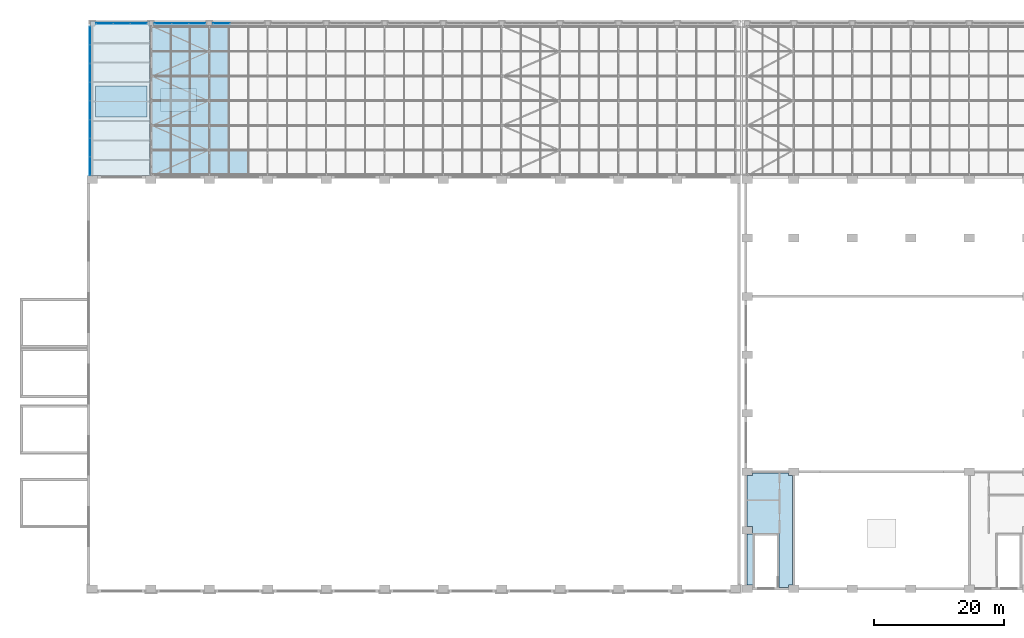
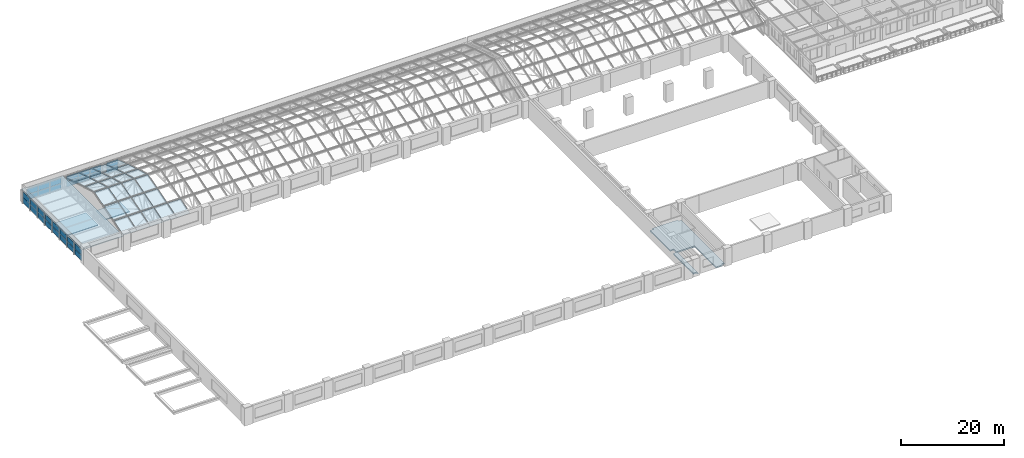
# One storey, part 46 of 82: 55 plates, 4 slabs, 5 elements without a shape of their own.
"""IFC4 building model written with IfcOpenShell, lengths in metres."""

from ifc_helpers import new_model, si_unit, direction, frame, origin, origin_2d, place, context, subcontext, project, spatial, polyline, rectangle, outline, extrude, material, layer, layer_set, type_object, element, aggregate, save


model = new_model("IFC4")

# Units and contexts
model_context = context("Model", 3, precision=1e-05, world=origin(), true_north=direction((0.0, 1.0)))
body_context = subcontext(model_context, "Body", "Model", "MODEL_VIEW")
ifc_project = project(units=[si_unit("LENGTHUNIT", "METRE"), si_unit("AREAUNIT", "SQUARE_METRE"), si_unit("VOLUMEUNIT", "CUBIC_METRE"), si_unit("PLANEANGLEUNIT", "RADIAN"), si_unit("MASSUNIT", "GRAM", prefix="KILO")], contexts=[model_context])

# Site, building, storey
site_placement = place(None, origin())
site = spatial("IfcSite", under=ifc_project, at=site_placement, CompositionType="ELEMENT")
building_placement = place(site_placement, origin())
building = spatial("IfcBuilding", under=site, at=building_placement, Name="Aravalli Gate Trade Fair Centre", CompositionType="ELEMENT")
storey_placement = place(building_placement, frame((0.0, 0.0, 19.199951171875)))
storey = spatial("IfcBuildingStorey", under=building, at=storey_placement, Name="L04", CompositionType="ELEMENT", Elevation=19.199951171875)

# Slabs
ifc_material_1 = material(Name="Concrete M40", Category="concrete")
ifc_layer_1 = layer(ifc_material_1, 0.199951171875)
ifc_layer_set_1 = layer_set([ifc_layer_1], Name="Concrete M40")
slab_type_1 = type_object("IfcSlabType", Name="Concourse core cover slab 200", PredefinedType="ROOF", material=ifc_layer_set_1)
slab_1_placement = place(storey_placement, origin())
element("IfcSlab", 1, at=slab_1_placement, inside=storey, type_object=slab_type_1, Name="Core cover slab WS", PredefinedType="ROOF", context=body_context, shape_type="SweptSolid", body=[
    extrude(outline(polyline([(6.5, 118.60009765625), (14.39990234375, 118.60009765625), (14.39990234375, 123.39990234375), (6.5, 123.39990234375), (6.5, 118.60009765625)])), origin(), (0.0, 0.0, 1.0), 0.199951171875),
])
slab_2_placement = place(storey_placement, origin())
element("IfcSlab", 2, at=slab_2_placement, inside=storey, type_object=slab_type_1, Name="Core cover slab WL", PredefinedType="ROOF", context=body_context, shape_type="SweptSolid", body=[
    extrude(outline(polyline([(16.5, 119.5), (22.050048828125, 119.5), (22.050048828125, 123.0), (16.5, 123.0), (16.5, 119.5)])), origin(), (0.0, 0.0, 1.0), 0.199951171875),
])
ifc_material_2 = material(Name="Concrete M30", Category="concrete")
ifc_layer_2 = layer(ifc_material_2, 0.1201171875, Name="Concrete topping")
ifc_material_3 = material(Name="Steel E350", Category="steel")
ifc_layer_3 = layer(ifc_material_3, 0.030029296875, Name="Profiled deck sheet")
ifc_layer_set_2 = layer_set([ifc_layer_2, ifc_layer_3], Name="Concourse roof deck 150")
slab_type_2 = type_object("IfcSlabType", Name="Concourse roof deck 150", PredefinedType="ROOF", material=ifc_layer_set_2)
slab_3_placement = place(storey_placement, frame((0.0, 0.0, 2.699951171875)))
element("IfcSlab", 3, at=slab_3_placement, inside=storey, type_object=slab_type_2, Name="Concourse roof deck 1", PredefinedType="ROOF", context=body_context, shape_type="SweptSolid", body=[
    extrude(outline(polyline([(5.699951171875, 109.60009765625), (14.89990234375, 109.60009765625), (14.89990234375, 133.39990234375), (5.699951171875, 133.39990234375), (5.699951171875, 109.60009765625)])), origin(), (0.0, 0.0, 1.0), 0.150146484375),
])
ifc_layer_4 = layer(ifc_material_1, 0.300048828125)
ifc_layer_set_3 = layer_set([ifc_layer_4], Name="Concrete M40")
slab_type_3 = type_object("IfcSlabType", Name="Congress floor slab RC 300", PredefinedType="FLOOR", material=ifc_layer_set_3)
slab_4_placement = place(storey_placement, frame((0.0, 0.0, -0.300048828125)))
element("IfcSlab", 4, at=slab_4_placement, inside=storey, type_object=slab_type_3, Name="Stage wing floor L04 W", PredefinedType="FLOOR", context=body_context, shape_type="SweptSolid", body=[
    extrude(outline(polyline([(113.199951171875, 46.60009765625), (113.199951171875, 46.199951171875), (111.699951171875, 46.199951171875), (111.699951171875, 54.5), (107.699951171875, 54.5), (107.699951171875, 46.199951171875), (107.60009765625, 46.199951171875), (107.60009765625, 46.60009765625), (106.800048828125, 46.60009765625), (106.800048828125, 54.39990234375), (107.60009765625, 54.39990234375), (107.60009765625, 55.60009765625), (106.800048828125, 55.60009765625), (106.800048828125, 63.39990234375), (107.60009765625, 63.39990234375), (107.60009765625, 63.800048828125), (113.199951171875, 63.800048828125), (113.199951171875, 63.39990234375), (113.800048828125, 63.39990234375), (113.800048828125, 46.60009765625), (113.199951171875, 46.60009765625)])), origin(), (0.0, 0.0, 1.0), 0.300048828125),
])

# Curtain wall, plates
ifc_material_4 = material(Name="Aluminium and glass", Category="aluminium")
curtain_wall_type_1 = type_object("IfcCurtainWallType", Name="Curtain wall 3000 module", PredefinedType="NOTDEFINED", material=ifc_material_4)
curtain_wall_1_placement = place(storey_placement, origin())
curtain_wall_1 = element("IfcCurtainWall", 5, at=curtain_wall_1_placement, inside=storey, type_object=curtain_wall_type_1, Name="Curtain wall north bay 1 L04", PredefinedType="NOTDEFINED")
ifc_material_5 = material(Name="Glass, double glazed", Category="glass")
ifc_layer_5 = layer(ifc_material_5, 0.028076171875)
ifc_layer_set_4 = layer_set([ifc_layer_5], Name="Glass, double glazed")
plate_type_1 = type_object("IfcPlateType", Name="Curtain wall panel, double glazed 28", PredefinedType="CURTAIN_PANEL", material=ifc_layer_set_4)
plate_1_placement = place(storey_placement, frame((7.881591796875, 133.0, 0.06005859375), z_axis=(0.0, 0.0, 1.0), x_axis=(1.0, 0.0, 0.0)))
plate_1 = element("IfcPlate", 6, at=plate_1_placement, type_object=plate_type_1, Name="CW1 panel 1.1", PredefinedType="CURTAIN_PANEL", context=body_context, shape_type="SweptSolid", body=[
    extrude(rectangle(XDim=2.543212890625, YDim=0.028076171875, at=origin_2d()), origin(), (0.0, 0.0, 1.0), 1.260009765625),
])
plate_2_placement = place(storey_placement, frame((7.881591796875, 133.0, 1.3798828125), z_axis=(0.0, 0.0, 1.0), x_axis=(1.0, 0.0, 0.0)))
plate_2 = element("IfcPlate", 7, at=plate_2_placement, type_object=plate_type_1, Name="CW1 panel 1.2", PredefinedType="CURTAIN_PANEL", context=body_context, shape_type="SweptSolid", body=[
    extrude(rectangle(XDim=2.543212890625, YDim=0.028076171875, at=origin_2d()), origin(), (0.0, 0.0, 1.0), 1.260009765625),
])
plate_3_placement = place(storey_placement, frame((10.5, 133.0, 0.06005859375), z_axis=(0.0, 0.0, 1.0), x_axis=(1.0, 0.0, 0.0)))
plate_3 = element("IfcPlate", 8, at=plate_3_placement, type_object=plate_type_1, Name="CW1 panel 2.1", PredefinedType="CURTAIN_PANEL", context=body_context, shape_type="SweptSolid", body=[
    extrude(rectangle(XDim=2.5732421875, YDim=0.028076171875, at=origin_2d()), origin(), (0.0, 0.0, 1.0), 1.260009765625),
])
plate_4_placement = place(storey_placement, frame((10.5, 133.0, 1.3798828125), z_axis=(0.0, 0.0, 1.0), x_axis=(1.0, 0.0, 0.0)))
plate_4 = element("IfcPlate", 9, at=plate_4_placement, type_object=plate_type_1, Name="CW1 panel 2.2", PredefinedType="CURTAIN_PANEL", context=body_context, shape_type="SweptSolid", body=[
    extrude(rectangle(XDim=2.5732421875, YDim=0.028076171875, at=origin_2d()), origin(), (0.0, 0.0, 1.0), 1.260009765625),
])
plate_5_placement = place(storey_placement, frame((13.118408203125, 133.0, 0.06005859375), z_axis=(0.0, 0.0, 1.0), x_axis=(1.0, 0.0, 0.0)))
plate_5 = element("IfcPlate", 10, at=plate_5_placement, type_object=plate_type_1, Name="CW1 panel 3.1", PredefinedType="CURTAIN_PANEL", context=body_context, shape_type="SweptSolid", body=[
    extrude(rectangle(XDim=2.543212890625, YDim=0.028076171875, at=origin_2d()), origin(), (0.0, 0.0, 1.0), 1.260009765625),
])
plate_6_placement = place(storey_placement, frame((13.118408203125, 133.0, 1.3798828125), z_axis=(0.0, 0.0, 1.0), x_axis=(1.0, 0.0, 0.0)))
plate_6 = element("IfcPlate", 11, at=plate_6_placement, type_object=plate_type_1, Name="CW1 panel 3.2", PredefinedType="CURTAIN_PANEL", context=body_context, shape_type="SweptSolid", body=[
    extrude(rectangle(XDim=2.543212890625, YDim=0.028076171875, at=origin_2d()), origin(), (0.0, 0.0, 1.0), 1.260009765625),
])
aggregate(curtain_wall_1, [plate_1, plate_2, plate_3, plate_4, plate_5, plate_6])

curtain_wall_2_placement = place(storey_placement, origin())
curtain_wall_2 = element("IfcCurtainWall", 12, at=curtain_wall_2_placement, inside=storey, type_object=curtain_wall_type_1, Name="Curtain wall north bay 2 L04", PredefinedType="NOTDEFINED")
plate_7_placement = place(storey_placement, frame((16.881591796875, 133.0, 0.06005859375), z_axis=(0.0, 0.0, 1.0), x_axis=(1.0, 0.0, 0.0)))
plate_7 = element("IfcPlate", 13, at=plate_7_placement, type_object=plate_type_1, Name="CW1 panel 1.1", PredefinedType="CURTAIN_PANEL", context=body_context, shape_type="SweptSolid", body=[
    extrude(rectangle(XDim=2.543212890625, YDim=0.028076171875, at=origin_2d()), origin(), (0.0, 0.0, 1.0), 1.260009765625),
])
plate_8_placement = place(storey_placement, frame((16.881591796875, 133.0, 1.3798828125), z_axis=(0.0, 0.0, 1.0), x_axis=(1.0, 0.0, 0.0)))
plate_8 = element("IfcPlate", 14, at=plate_8_placement, type_object=plate_type_1, Name="CW1 panel 1.2", PredefinedType="CURTAIN_PANEL", context=body_context, shape_type="SweptSolid", body=[
    extrude(rectangle(XDim=2.543212890625, YDim=0.028076171875, at=origin_2d()), origin(), (0.0, 0.0, 1.0), 1.260009765625),
])
plate_9_placement = place(storey_placement, frame((19.5, 133.0, 0.06005859375), z_axis=(0.0, 0.0, 1.0), x_axis=(1.0, 0.0, 0.0)))
plate_9 = element("IfcPlate", 15, at=plate_9_placement, type_object=plate_type_1, Name="CW1 panel 2.1", PredefinedType="CURTAIN_PANEL", context=body_context, shape_type="SweptSolid", body=[
    extrude(rectangle(XDim=2.5732421875, YDim=0.028076171875, at=origin_2d()), origin(), (0.0, 0.0, 1.0), 1.260009765625),
])
plate_10_placement = place(storey_placement, frame((19.5, 133.0, 1.3798828125), z_axis=(0.0, 0.0, 1.0), x_axis=(1.0, 0.0, 0.0)))
plate_10 = element("IfcPlate", 16, at=plate_10_placement, type_object=plate_type_1, Name="CW1 panel 2.2", PredefinedType="CURTAIN_PANEL", context=body_context, shape_type="SweptSolid", body=[
    extrude(rectangle(XDim=2.5732421875, YDim=0.028076171875, at=origin_2d()), origin(), (0.0, 0.0, 1.0), 1.260009765625),
])
plate_11_placement = place(storey_placement, frame((22.118408203125, 133.0, 0.06005859375), z_axis=(0.0, 0.0, 1.0), x_axis=(1.0, 0.0, 0.0)))
plate_11 = element("IfcPlate", 17, at=plate_11_placement, type_object=plate_type_1, Name="CW1 panel 3.1", PredefinedType="CURTAIN_PANEL", context=body_context, shape_type="SweptSolid", body=[
    extrude(rectangle(XDim=2.543212890625, YDim=0.028076171875, at=origin_2d()), origin(), (0.0, 0.0, 1.0), 1.260009765625),
])
plate_12_placement = place(storey_placement, frame((22.118408203125, 133.0, 1.3798828125), z_axis=(0.0, 0.0, 1.0), x_axis=(1.0, 0.0, 0.0)))
plate_12 = element("IfcPlate", 18, at=plate_12_placement, type_object=plate_type_1, Name="CW1 panel 3.2", PredefinedType="CURTAIN_PANEL", context=body_context, shape_type="SweptSolid", body=[
    extrude(rectangle(XDim=2.543212890625, YDim=0.028076171875, at=origin_2d()), origin(), (0.0, 0.0, 1.0), 1.260009765625),
])
aggregate(curtain_wall_2, [plate_7, plate_8, plate_9, plate_10, plate_11, plate_12])

curtain_wall_3_placement = place(storey_placement, origin())
curtain_wall_3 = element("IfcCurtainWall", 19, at=curtain_wall_3_placement, inside=storey, type_object=curtain_wall_type_1, Name="Curtain wall north bay 3 L04", PredefinedType="NOTDEFINED")
plate_13_placement = place(storey_placement, frame((25.881591796875, 133.0, 0.06005859375), z_axis=(0.0, 0.0, 1.0), x_axis=(1.0, 0.0, 0.0)))
plate_13 = element("IfcPlate", 20, at=plate_13_placement, type_object=plate_type_1, Name="CW1 panel 1.1", PredefinedType="CURTAIN_PANEL", context=body_context, shape_type="SweptSolid", body=[
    extrude(rectangle(XDim=2.543212890625, YDim=0.028076171875, at=origin_2d()), origin(), (0.0, 0.0, 1.0), 1.260009765625),
])
plate_14_placement = place(storey_placement, frame((25.881591796875, 133.0, 1.3798828125), z_axis=(0.0, 0.0, 1.0), x_axis=(1.0, 0.0, 0.0)))
plate_14 = element("IfcPlate", 21, at=plate_14_placement, type_object=plate_type_1, Name="CW1 panel 1.2", PredefinedType="CURTAIN_PANEL", context=body_context, shape_type="SweptSolid", body=[
    extrude(rectangle(XDim=2.543212890625, YDim=0.028076171875, at=origin_2d()), origin(), (0.0, 0.0, 1.0), 1.260009765625),
])
aggregate(curtain_wall_3, [plate_13, plate_14])

curtain_wall_4_placement = place(storey_placement, origin())
curtain_wall_4 = element("IfcCurtainWall", 22, at=curtain_wall_4_placement, inside=storey, type_object=curtain_wall_type_1, Name="Curtain wall west end L04", PredefinedType="NOTDEFINED")
ifc_material_6 = material(Name="Glazed terracotta", Category="masonry")
ifc_layer_6 = layer(ifc_material_6, 0.06005859375)
ifc_layer_set_5 = layer_set([ifc_layer_6], Name="Glazed terracotta")
plate_type_2 = type_object("IfcPlateType", Name="Curtain wall panel, terracotta spandrel 60", PredefinedType="CURTAIN_PANEL", material=ifc_layer_set_5)
plate_15_placement = place(storey_placement, frame((5.6201171875, 111.052490234375, 0.06005859375), z_axis=(0.0, 0.0, 1.0), x_axis=(0.0, 1.0, 0.0)))
plate_15 = element("IfcPlate", 23, at=plate_15_placement, type_object=plate_type_2, Name="CW1 panel 1.1", PredefinedType="CURTAIN_PANEL", context=body_context, shape_type="SweptSolid", body=[
    extrude(rectangle(XDim=2.784912109375, YDim=0.06005859375, at=origin_2d()), origin(), (0.0, 0.0, 1.0), 1.260009765625),
])
plate_16_placement = place(storey_placement, frame((5.6201171875, 111.052490234375, 1.3798828125), z_axis=(0.0, 0.0, 1.0), x_axis=(0.0, 1.0, 0.0)))
plate_16 = element("IfcPlate", 24, at=plate_16_placement, type_object=plate_type_2, Name="CW1 panel 1.2", PredefinedType="CURTAIN_PANEL", context=body_context, shape_type="SweptSolid", body=[
    extrude(rectangle(XDim=2.784912109375, YDim=0.06005859375, at=origin_2d()), origin(), (0.0, 0.0, 1.0), 1.260009765625),
])
plate_17_placement = place(storey_placement, frame((5.6201171875, 113.91259765625, 0.06005859375), z_axis=(0.0, 0.0, 1.0), x_axis=(0.0, 1.0, 0.0)))
plate_17 = element("IfcPlate", 25, at=plate_17_placement, type_object=plate_type_2, Name="CW1 panel 2.1", PredefinedType="CURTAIN_PANEL", context=body_context, shape_type="SweptSolid", body=[
    extrude(rectangle(XDim=2.81494140625, YDim=0.06005859375, at=origin_2d()), origin(), (0.0, 0.0, 1.0), 1.260009765625),
])
plate_18_placement = place(storey_placement, frame((5.6201171875, 113.91259765625, 1.3798828125), z_axis=(0.0, 0.0, 1.0), x_axis=(0.0, 1.0, 0.0)))
plate_18 = element("IfcPlate", 26, at=plate_18_placement, type_object=plate_type_2, Name="CW1 panel 2.2", PredefinedType="CURTAIN_PANEL", context=body_context, shape_type="SweptSolid", body=[
    extrude(rectangle(XDim=2.81494140625, YDim=0.06005859375, at=origin_2d()), origin(), (0.0, 0.0, 1.0), 1.260009765625),
])
plate_19_placement = place(storey_placement, frame((5.6201171875, 116.78759765625, 0.06005859375), z_axis=(0.0, 0.0, 1.0), x_axis=(0.0, 1.0, 0.0)))
plate_19 = element("IfcPlate", 27, at=plate_19_placement, type_object=plate_type_2, Name="CW1 panel 3.1", PredefinedType="CURTAIN_PANEL", context=body_context, shape_type="SweptSolid", body=[
    extrude(rectangle(XDim=2.81494140625, YDim=0.06005859375, at=origin_2d()), origin(), (0.0, 0.0, 1.0), 1.260009765625),
])
plate_20_placement = place(storey_placement, frame((5.6201171875, 116.78759765625, 1.3798828125), z_axis=(0.0, 0.0, 1.0), x_axis=(0.0, 1.0, 0.0)))
plate_20 = element("IfcPlate", 28, at=plate_20_placement, type_object=plate_type_2, Name="CW1 panel 3.2", PredefinedType="CURTAIN_PANEL", context=body_context, shape_type="SweptSolid", body=[
    extrude(rectangle(XDim=2.81494140625, YDim=0.06005859375, at=origin_2d()), origin(), (0.0, 0.0, 1.0), 1.260009765625),
])
plate_21_placement = place(storey_placement, frame((5.6201171875, 119.66259765625, 0.06005859375), z_axis=(0.0, 0.0, 1.0), x_axis=(0.0, 1.0, 0.0)))
plate_21 = element("IfcPlate", 29, at=plate_21_placement, type_object=plate_type_2, Name="CW1 panel 4.1", PredefinedType="CURTAIN_PANEL", context=body_context, shape_type="SweptSolid", body=[
    extrude(rectangle(XDim=2.81494140625, YDim=0.06005859375, at=origin_2d()), origin(), (0.0, 0.0, 1.0), 1.260009765625),
])
plate_22_placement = place(storey_placement, frame((5.6201171875, 119.66259765625, 1.3798828125), z_axis=(0.0, 0.0, 1.0), x_axis=(0.0, 1.0, 0.0)))
plate_22 = element("IfcPlate", 30, at=plate_22_placement, type_object=plate_type_2, Name="CW1 panel 4.2", PredefinedType="CURTAIN_PANEL", context=body_context, shape_type="SweptSolid", body=[
    extrude(rectangle(XDim=2.81494140625, YDim=0.06005859375, at=origin_2d()), origin(), (0.0, 0.0, 1.0), 1.260009765625),
])
plate_23_placement = place(storey_placement, frame((5.6201171875, 122.53759765625, 0.06005859375), z_axis=(0.0, 0.0, 1.0), x_axis=(0.0, 1.0, 0.0)))
plate_23 = element("IfcPlate", 31, at=plate_23_placement, type_object=plate_type_2, Name="CW1 panel 5.1", PredefinedType="CURTAIN_PANEL", context=body_context, shape_type="SweptSolid", body=[
    extrude(rectangle(XDim=2.81494140625, YDim=0.06005859375, at=origin_2d()), origin(), (0.0, 0.0, 1.0), 1.260009765625),
])
plate_24_placement = place(storey_placement, frame((5.6201171875, 122.53759765625, 1.3798828125), z_axis=(0.0, 0.0, 1.0), x_axis=(0.0, 1.0, 0.0)))
plate_24 = element("IfcPlate", 32, at=plate_24_placement, type_object=plate_type_2, Name="CW1 panel 5.2", PredefinedType="CURTAIN_PANEL", context=body_context, shape_type="SweptSolid", body=[
    extrude(rectangle(XDim=2.81494140625, YDim=0.06005859375, at=origin_2d()), origin(), (0.0, 0.0, 1.0), 1.260009765625),
])
plate_25_placement = place(storey_placement, frame((5.6201171875, 125.41259765625, 0.06005859375), z_axis=(0.0, 0.0, 1.0), x_axis=(0.0, 1.0, 0.0)))
plate_25 = element("IfcPlate", 33, at=plate_25_placement, type_object=plate_type_2, Name="CW1 panel 6.1", PredefinedType="CURTAIN_PANEL", context=body_context, shape_type="SweptSolid", body=[
    extrude(rectangle(XDim=2.81494140625, YDim=0.06005859375, at=origin_2d()), origin(), (0.0, 0.0, 1.0), 1.260009765625),
])
plate_26_placement = place(storey_placement, frame((5.6201171875, 125.41259765625, 1.3798828125), z_axis=(0.0, 0.0, 1.0), x_axis=(0.0, 1.0, 0.0)))
plate_26 = element("IfcPlate", 34, at=plate_26_placement, type_object=plate_type_2, Name="CW1 panel 6.2", PredefinedType="CURTAIN_PANEL", context=body_context, shape_type="SweptSolid", body=[
    extrude(rectangle(XDim=2.81494140625, YDim=0.06005859375, at=origin_2d()), origin(), (0.0, 0.0, 1.0), 1.260009765625),
])
plate_27_placement = place(storey_placement, frame((5.6201171875, 128.28759765625, 0.06005859375), z_axis=(0.0, 0.0, 1.0), x_axis=(0.0, 1.0, 0.0)))
plate_27 = element("IfcPlate", 35, at=plate_27_placement, type_object=plate_type_2, Name="CW1 panel 7.1", PredefinedType="CURTAIN_PANEL", context=body_context, shape_type="SweptSolid", body=[
    extrude(rectangle(XDim=2.81494140625, YDim=0.06005859375, at=origin_2d()), origin(), (0.0, 0.0, 1.0), 1.260009765625),
])
plate_28_placement = place(storey_placement, frame((5.6201171875, 128.28759765625, 1.3798828125), z_axis=(0.0, 0.0, 1.0), x_axis=(0.0, 1.0, 0.0)))
plate_28 = element("IfcPlate", 36, at=plate_28_placement, type_object=plate_type_2, Name="CW1 panel 7.2", PredefinedType="CURTAIN_PANEL", context=body_context, shape_type="SweptSolid", body=[
    extrude(rectangle(XDim=2.81494140625, YDim=0.06005859375, at=origin_2d()), origin(), (0.0, 0.0, 1.0), 1.260009765625),
])
plate_29_placement = place(storey_placement, frame((5.6201171875, 131.1474609375, 0.06005859375), z_axis=(0.0, 0.0, 1.0), x_axis=(0.0, 1.0, 0.0)))
plate_29 = element("IfcPlate", 37, at=plate_29_placement, type_object=plate_type_2, Name="CW1 panel 8.1", PredefinedType="CURTAIN_PANEL", context=body_context, shape_type="SweptSolid", body=[
    extrude(rectangle(XDim=2.784912109375, YDim=0.06005859375, at=origin_2d()), origin(), (0.0, 0.0, 1.0), 1.260009765625),
])
plate_30_placement = place(storey_placement, frame((5.6201171875, 131.1474609375, 1.3798828125), z_axis=(0.0, 0.0, 1.0), x_axis=(0.0, 1.0, 0.0)))
plate_30 = element("IfcPlate", 38, at=plate_30_placement, type_object=plate_type_2, Name="CW1 panel 8.2", PredefinedType="CURTAIN_PANEL", context=body_context, shape_type="SweptSolid", body=[
    extrude(rectangle(XDim=2.784912109375, YDim=0.06005859375, at=origin_2d()), origin(), (0.0, 0.0, 1.0), 1.260009765625),
])
aggregate(curtain_wall_4, [plate_15, plate_16, plate_17, plate_18, plate_19, plate_20, plate_21, plate_22, plate_23, plate_24, plate_25, plate_26, plate_27, plate_28, plate_29, plate_30])

curtain_wall_type_2 = type_object("IfcCurtainWallType", Name="Vault curtain wall, sloped glazing", PredefinedType="NOTDEFINED", material=ifc_material_4)
curtain_wall_5_placement = place(storey_placement, origin())
curtain_wall_5 = element("IfcCurtainWall", 39, at=curtain_wall_5_placement, inside=storey, type_object=curtain_wall_type_2, Name="Vault curtain wall w", PredefinedType="NOTDEFINED")
ifc_material_7 = material(Name="Glass, laminated double glazed", Category="glass")
ifc_layer_7 = layer(ifc_material_7, 0.028076171875)
ifc_layer_set_6 = layer_set([ifc_layer_7], Name="Glass, laminated double glazed")
plate_type_3 = type_object("IfcPlateType", Name="Vault glazing panel, facet class 1", PredefinedType="CURTAIN_PANEL", material=ifc_layer_set_6)
plate_31_placement = place(storey_placement, frame((18.11328125, 109.77001953125, 2.873046875), z_axis=(0.0, -0.312518472278, 0.949911682466), x_axis=(1.0, 0.0, 0.0)))
plate_31 = element("IfcPlate", 40, at=plate_31_placement, type_object=plate_type_3, Name="Vault glazing w2.1", PredefinedType="CURTAIN_PANEL", context=body_context, shape_type="SweptSolid", body=[
    extrude(outline(polyline([(0.0, 0.0), (2.8984375, 0.0), (2.8984375, 3.852897250273449), (0.0, 3.852897250273449), (0.0, 0.0)])), origin(), (0.0, 0.0, -1.0), 0.028076171875),
])
plate_32_placement = place(storey_placement, frame((18.11328125, 128.77001953125, 4.0771484375), z_axis=(0.0, 0.312518472278, 0.949911682466), x_axis=(1.0, 0.0, 0.0)))
plate_32 = element("IfcPlate", 41, at=plate_32_placement, type_object=plate_type_3, Name="Vault glazing w2.6", PredefinedType="CURTAIN_PANEL", context=body_context, shape_type="SweptSolid", body=[
    extrude(outline(polyline([(0.0, 0.0), (2.8984375, 0.0), (2.8984375, 3.852897250273449), (0.0, 3.852897250273449), (0.0, 0.0)])), origin(), (0.0, 0.0, -1.0), 0.028076171875),
])
plate_33_placement = place(storey_placement, frame((21.07177734375, 109.77001953125, 2.873046875), z_axis=(0.0, -0.312518472278, 0.949911682466), x_axis=(1.0, 0.0, 0.0)))
plate_33 = element("IfcPlate", 42, at=plate_33_placement, type_object=plate_type_3, Name="Vault glazing w3.1", PredefinedType="CURTAIN_PANEL", context=body_context, shape_type="SweptSolid", body=[
    extrude(outline(polyline([(0.0, 0.0), (2.898193359375, 0.0), (2.898193359375, 3.852897250273449), (0.0, 3.852897250273449), (0.0, 0.0)])), origin(), (0.0, 0.0, -1.0), 0.028076171875),
])
plate_34_placement = place(storey_placement, frame((21.07177734375, 128.77001953125, 4.0771484375), z_axis=(0.0, 0.312518472278, 0.949911682466), x_axis=(1.0, 0.0, 0.0)))
plate_34 = element("IfcPlate", 43, at=plate_34_placement, type_object=plate_type_3, Name="Vault glazing w3.6", PredefinedType="CURTAIN_PANEL", context=body_context, shape_type="SweptSolid", body=[
    extrude(outline(polyline([(0.0, 0.0), (2.898193359375, 0.0), (2.898193359375, 3.852897250273449), (0.0, 3.852897250273449), (0.0, 0.0)])), origin(), (0.0, 0.0, -1.0), 0.028076171875),
])
plate_35_placement = place(storey_placement, frame((24.030029296875, 109.77001953125, 2.873046875), z_axis=(0.0, -0.312518472278, 0.949911682466), x_axis=(1.0, 0.0, 0.0)))
plate_35 = element("IfcPlate", 44, at=plate_35_placement, type_object=plate_type_3, Name="Vault glazing w4.1", PredefinedType="CURTAIN_PANEL", context=body_context, shape_type="SweptSolid", body=[
    extrude(outline(polyline([(0.0, 0.0), (2.93994140625, 0.0), (2.93994140625, 3.852897250273449), (0.0, 3.852897250273449), (0.0, 0.0)])), origin(), (0.0, 0.0, -1.0), 0.028076171875),
])
plate_36_placement = place(storey_placement, frame((24.030029296875, 128.77001953125, 4.0771484375), z_axis=(0.0, 0.312518472278, 0.949911682466), x_axis=(1.0, 0.0, 0.0)))
plate_36 = element("IfcPlate", 45, at=plate_36_placement, type_object=plate_type_3, Name="Vault glazing w4.6", PredefinedType="CURTAIN_PANEL", context=body_context, shape_type="SweptSolid", body=[
    extrude(outline(polyline([(0.0, 0.0), (2.93994140625, 0.0), (2.93994140625, 3.852897250273449), (0.0, 3.852897250273449), (0.0, 0.0)])), origin(), (0.0, 0.0, -1.0), 0.028076171875),
])
plate_37_placement = place(storey_placement, frame((27.030029296875, 109.77001953125, 2.873046875), z_axis=(0.0, -0.312518472278, 0.949911682466), x_axis=(1.0, 0.0, 0.0)))
plate_37 = element("IfcPlate", 46, at=plate_37_placement, type_object=plate_type_3, Name="Vault glazing w5.1", PredefinedType="CURTAIN_PANEL", context=body_context, shape_type="SweptSolid", body=[
    extrude(outline(polyline([(0.0, 0.0), (2.93994140625, 0.0), (2.93994140625, 3.852897250273449), (0.0, 3.852897250273449), (0.0, 0.0)])), origin(), (0.0, 0.0, -1.0), 0.028076171875),
])
ifc_layer_8 = layer(ifc_material_7, 0.028076171875)
ifc_layer_set_7 = layer_set([ifc_layer_8], Name="Glass, laminated double glazed")
plate_type_4 = type_object("IfcPlateType", Name="Vault glazing panel, facet class 2", PredefinedType="CURTAIN_PANEL", material=ifc_layer_set_7)
plate_38_placement = place(storey_placement, frame((14.9599609375, 113.570068359375, 4.121337890625), z_axis=(0.0, -0.289613973345, 0.957143534922), x_axis=(1.0, 0.0, 0.0)))
plate_38 = element("IfcPlate", 47, at=plate_38_placement, type_object=plate_type_4, Name="Vault glazing w1.2", PredefinedType="CURTAIN_PANEL", context=body_context, shape_type="SweptSolid", body=[
    extrude(outline(polyline([(0.0, 0.0), (3.09326171875, 0.0), (3.09326171875, 3.823786063259591), (0.0, 3.823786063259591), (0.0, 0.0)])), origin(), (0.0, 0.0, -1.0), 0.028076171875),
])
plate_39_placement = place(storey_placement, frame((14.9599609375, 124.969970703125, 5.228759765625), z_axis=(0.0, 0.289613973345, 0.957143534922), x_axis=(1.0, 0.0, 0.0)))
plate_39 = element("IfcPlate", 48, at=plate_39_placement, type_object=plate_type_4, Name="Vault glazing w1.5", PredefinedType="CURTAIN_PANEL", context=body_context, shape_type="SweptSolid", body=[
    extrude(outline(polyline([(0.0, 0.0), (3.09326171875, 0.0), (3.09326171875, 3.823786063259591), (0.0, 3.823786063259591), (0.0, 0.0)])), origin(), (0.0, 0.0, -1.0), 0.028076171875),
])
plate_40_placement = place(storey_placement, frame((18.11328125, 113.570068359375, 4.121337890625), z_axis=(0.0, -0.289613973345, 0.957143534922), x_axis=(1.0, 0.0, 0.0)))
plate_40 = element("IfcPlate", 49, at=plate_40_placement, type_object=plate_type_4, Name="Vault glazing w2.2", PredefinedType="CURTAIN_PANEL", context=body_context, shape_type="SweptSolid", body=[
    extrude(outline(polyline([(0.0, 0.0), (2.8984375, 0.0), (2.8984375, 3.823786063259591), (0.0, 3.823786063259591), (0.0, 0.0)])), origin(), (0.0, 0.0, -1.0), 0.028076171875),
])
plate_41_placement = place(storey_placement, frame((18.11328125, 124.969970703125, 5.228759765625), z_axis=(0.0, 0.289613973345, 0.957143534922), x_axis=(1.0, 0.0, 0.0)))
plate_41 = element("IfcPlate", 50, at=plate_41_placement, type_object=plate_type_4, Name="Vault glazing w2.5", PredefinedType="CURTAIN_PANEL", context=body_context, shape_type="SweptSolid", body=[
    extrude(outline(polyline([(0.0, 0.0), (2.8984375, 0.0), (2.8984375, 3.823786063259591), (0.0, 3.823786063259591), (0.0, 0.0)])), origin(), (0.0, 0.0, -1.0), 0.028076171875),
])
plate_42_placement = place(storey_placement, frame((21.07177734375, 113.570068359375, 4.121337890625), z_axis=(0.0, -0.289613973345, 0.957143534922), x_axis=(1.0, 0.0, 0.0)))
plate_42 = element("IfcPlate", 51, at=plate_42_placement, type_object=plate_type_4, Name="Vault glazing w3.2", PredefinedType="CURTAIN_PANEL", context=body_context, shape_type="SweptSolid", body=[
    extrude(outline(polyline([(0.0, 0.0), (2.898193359375, 0.0), (2.898193359375, 3.8237860632595906), (0.0, 3.8237860632595906), (0.0, 0.0)])), origin(), (0.0, 0.0, -1.0), 0.028076171875),
])
plate_43_placement = place(storey_placement, frame((21.07177734375, 124.969970703125, 5.228759765625), z_axis=(0.0, 0.289613973345, 0.957143534922), x_axis=(1.0, 0.0, 0.0)))
plate_43 = element("IfcPlate", 52, at=plate_43_placement, type_object=plate_type_4, Name="Vault glazing w3.5", PredefinedType="CURTAIN_PANEL", context=body_context, shape_type="SweptSolid", body=[
    extrude(outline(polyline([(0.0, 0.0), (2.898193359375, 0.0), (2.898193359375, 3.8237860632595906), (0.0, 3.8237860632595906), (0.0, 0.0)])), origin(), (0.0, 0.0, -1.0), 0.028076171875),
])
plate_44_placement = place(storey_placement, frame((24.030029296875, 113.570068359375, 4.121337890625), z_axis=(0.0, -0.289613973345, 0.957143534922), x_axis=(1.0, 0.0, 0.0)))
plate_44 = element("IfcPlate", 53, at=plate_44_placement, type_object=plate_type_4, Name="Vault glazing w4.2", PredefinedType="CURTAIN_PANEL", context=body_context, shape_type="SweptSolid", body=[
    extrude(outline(polyline([(0.0, 0.0), (2.93994140625, 0.0), (2.93994140625, 3.8237860632595906), (0.0, 3.8237860632595906), (0.0, 0.0)])), origin(), (0.0, 0.0, -1.0), 0.028076171875),
])
plate_45_placement = place(storey_placement, frame((24.030029296875, 124.969970703125, 5.228759765625), z_axis=(0.0, 0.289613973345, 0.957143534922), x_axis=(1.0, 0.0, 0.0)))
plate_45 = element("IfcPlate", 54, at=plate_45_placement, type_object=plate_type_4, Name="Vault glazing w4.5", PredefinedType="CURTAIN_PANEL", context=body_context, shape_type="SweptSolid", body=[
    extrude(outline(polyline([(0.0, 0.0), (2.93994140625, 0.0), (2.93994140625, 3.8237860632595906), (0.0, 3.8237860632595906), (0.0, 0.0)])), origin(), (0.0, 0.0, -1.0), 0.028076171875),
])
ifc_layer_9 = layer(ifc_material_7, 0.028076171875)
ifc_layer_set_8 = layer_set([ifc_layer_9], Name="Glass, laminated double glazed")
plate_type_5 = type_object("IfcPlateType", Name="Vault glazing panel, facet class 3", PredefinedType="CURTAIN_PANEL", material=ifc_layer_set_8)
plate_46_placement = place(storey_placement, frame((14.9599609375, 117.3701171875, 5.269287109375), z_axis=(0.0, -0.266380180859, 0.96386804037), x_axis=(1.0, 0.0, 0.0)))
plate_46 = element("IfcPlate", 55, at=plate_46_placement, type_object=plate_type_5, Name="Vault glazing w1.3", PredefinedType="CURTAIN_PANEL", context=body_context, shape_type="SweptSolid", body=[
    extrude(outline(polyline([(0.0, 0.0), (3.09326171875, 0.0), (3.09326171875, 3.7971091021670786), (0.0, 3.7971091021670786), (0.0, 0.0)])), origin(), (0.0, 0.0, -1.0), 0.028076171875),
])
plate_47_placement = place(storey_placement, frame((14.9599609375, 121.169921875, 6.28076171875), z_axis=(0.0, 0.266363673386, 0.963872602318), x_axis=(1.0, 0.0, 0.0)))
plate_47 = element("IfcPlate", 56, at=plate_47_placement, type_object=plate_type_5, Name="Vault glazing w1.4", PredefinedType="CURTAIN_PANEL", context=body_context, shape_type="SweptSolid", body=[
    extrude(outline(polyline([(0.0, 0.0), (3.09326171875, 0.0), (3.09326171875, 3.797344422069767), (0.0, 3.797344422069767), (0.0, 0.0)])), origin(), (0.0, 0.0, -1.0), 0.028076171875),
])
plate_48_placement = place(storey_placement, frame((18.11328125, 117.3701171875, 5.269287109375), z_axis=(0.0, -0.266380180859, 0.96386804037), x_axis=(1.0, 0.0, 0.0)))
plate_48 = element("IfcPlate", 57, at=plate_48_placement, type_object=plate_type_5, Name="Vault glazing w2.3", PredefinedType="CURTAIN_PANEL", context=body_context, shape_type="SweptSolid", body=[
    extrude(outline(polyline([(0.0, 0.0), (2.8984375, 0.0), (2.8984375, 3.7971091021670778), (0.0, 3.7971091021670778), (0.0, 0.0)])), origin(), (0.0, 0.0, -1.0), 0.028076171875),
])
plate_49_placement = place(storey_placement, frame((18.11328125, 121.169921875, 6.28076171875), z_axis=(0.0, 0.266363673386, 0.963872602318), x_axis=(1.0, 0.0, 0.0)))
plate_49 = element("IfcPlate", 58, at=plate_49_placement, type_object=plate_type_5, Name="Vault glazing w2.4", PredefinedType="CURTAIN_PANEL", context=body_context, shape_type="SweptSolid", body=[
    extrude(outline(polyline([(0.0, 0.0), (2.8984375, 0.0), (2.8984375, 3.797344422069767), (0.0, 3.797344422069767), (0.0, 0.0)])), origin(), (0.0, 0.0, -1.0), 0.028076171875),
])
plate_50_placement = place(storey_placement, frame((21.07177734375, 117.3701171875, 5.269287109375), z_axis=(0.0, -0.266380180859, 0.96386804037), x_axis=(1.0, 0.0, 0.0)))
plate_50 = element("IfcPlate", 59, at=plate_50_placement, type_object=plate_type_5, Name="Vault glazing w3.3", PredefinedType="CURTAIN_PANEL", context=body_context, shape_type="SweptSolid", body=[
    extrude(outline(polyline([(0.0, 0.0), (2.898193359375, 0.0), (2.898193359375, 3.7971091021670778), (0.0, 3.7971091021670778), (0.0, 0.0)])), origin(), (0.0, 0.0, -1.0), 0.028076171875),
])
plate_51_placement = place(storey_placement, frame((21.07177734375, 121.169921875, 6.28076171875), z_axis=(0.0, 0.266363673386, 0.963872602318), x_axis=(1.0, 0.0, 0.0)))
plate_51 = element("IfcPlate", 60, at=plate_51_placement, type_object=plate_type_5, Name="Vault glazing w3.4", PredefinedType="CURTAIN_PANEL", context=body_context, shape_type="SweptSolid", body=[
    extrude(outline(polyline([(0.0, 0.0), (2.898193359375, 0.0), (2.898193359375, 3.797344422069767), (0.0, 3.797344422069767), (0.0, 0.0)])), origin(), (0.0, 0.0, -1.0), 0.028076171875),
])
plate_52_placement = place(storey_placement, frame((24.030029296875, 117.3701171875, 5.269287109375), z_axis=(0.0, -0.266380180859, 0.96386804037), x_axis=(1.0, 0.0, 0.0)))
plate_52 = element("IfcPlate", 61, at=plate_52_placement, type_object=plate_type_5, Name="Vault glazing w4.3", PredefinedType="CURTAIN_PANEL", context=body_context, shape_type="SweptSolid", body=[
    extrude(outline(polyline([(0.0, 0.0), (2.93994140625, 0.0), (2.93994140625, 3.7971091021670778), (0.0, 3.7971091021670778), (0.0, 0.0)])), origin(), (0.0, 0.0, -1.0), 0.028076171875),
])
plate_53_placement = place(storey_placement, frame((24.030029296875, 121.169921875, 6.28076171875), z_axis=(0.0, 0.266363673386, 0.963872602318), x_axis=(1.0, 0.0, 0.0)))
plate_53 = element("IfcPlate", 62, at=plate_53_placement, type_object=plate_type_5, Name="Vault glazing w4.4", PredefinedType="CURTAIN_PANEL", context=body_context, shape_type="SweptSolid", body=[
    extrude(outline(polyline([(0.0, 0.0), (2.93994140625, 0.0), (2.93994140625, 3.797344422069767), (0.0, 3.797344422069767), (0.0, 0.0)])), origin(), (0.0, 0.0, -1.0), 0.028076171875),
])
ifc_layer_10 = layer(ifc_material_6, 0.06005859375)
ifc_layer_set_9 = layer_set([ifc_layer_10], Name="Glazed terracotta")
plate_type_6 = type_object("IfcPlateType", Name="Vault panel, terracotta spandrel, facet class 1", PredefinedType="CURTAIN_PANEL", material=ifc_layer_set_9)
plate_54_placement = place(storey_placement, frame((14.9599609375, 109.77001953125, 2.873046875), z_axis=(0.0, -0.312518472278, 0.949911682466), x_axis=(1.0, 0.0, 0.0)))
plate_54 = element("IfcPlate", 63, at=plate_54_placement, type_object=plate_type_6, Name="Vault glazing w1.1", PredefinedType="CURTAIN_PANEL", context=body_context, shape_type="SweptSolid", body=[
    extrude(outline(polyline([(0.0, 0.0), (3.09326171875, 0.0), (3.09326171875, 3.852897250273449), (0.0, 3.852897250273449), (0.0, 0.0)])), origin(), (0.0, 0.0, -1.0), 0.06005859375),
])
plate_55_placement = place(storey_placement, frame((14.9599609375, 128.77001953125, 4.0771484375), z_axis=(0.0, 0.312518472278, 0.949911682466), x_axis=(1.0, 0.0, 0.0)))
plate_55 = element("IfcPlate", 64, at=plate_55_placement, type_object=plate_type_6, Name="Vault glazing w1.6", PredefinedType="CURTAIN_PANEL", context=body_context, shape_type="SweptSolid", body=[
    extrude(outline(polyline([(0.0, 0.0), (3.09326171875, 0.0), (3.09326171875, 3.852897250273449), (0.0, 3.852897250273449), (0.0, 0.0)])), origin(), (0.0, 0.0, -1.0), 0.06005859375),
])
aggregate(curtain_wall_5, [plate_54, plate_38, plate_46, plate_47, plate_39, plate_55, plate_31, plate_40, plate_48, plate_49, plate_41, plate_32, plate_33, plate_42, plate_50, plate_51, plate_43, plate_34, plate_35, plate_44, plate_52, plate_53, plate_45, plate_36, plate_37])

save(model, "model.ifc")
